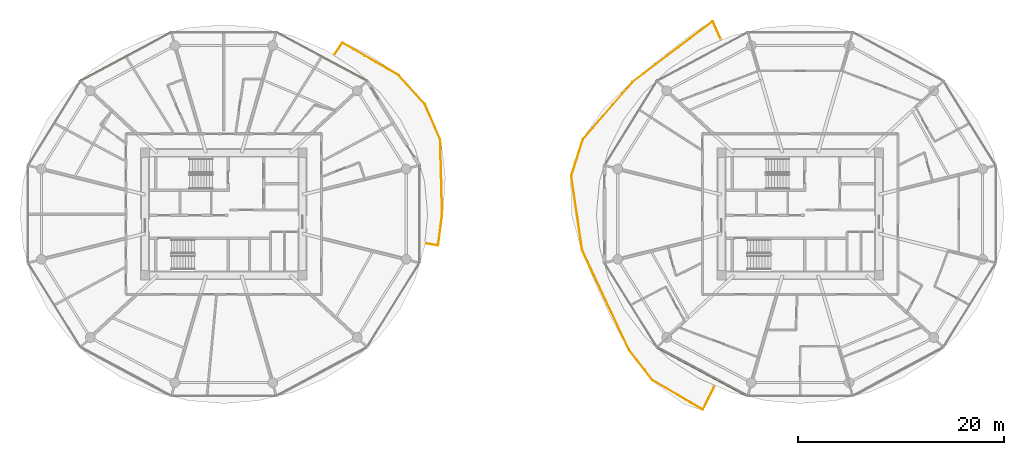
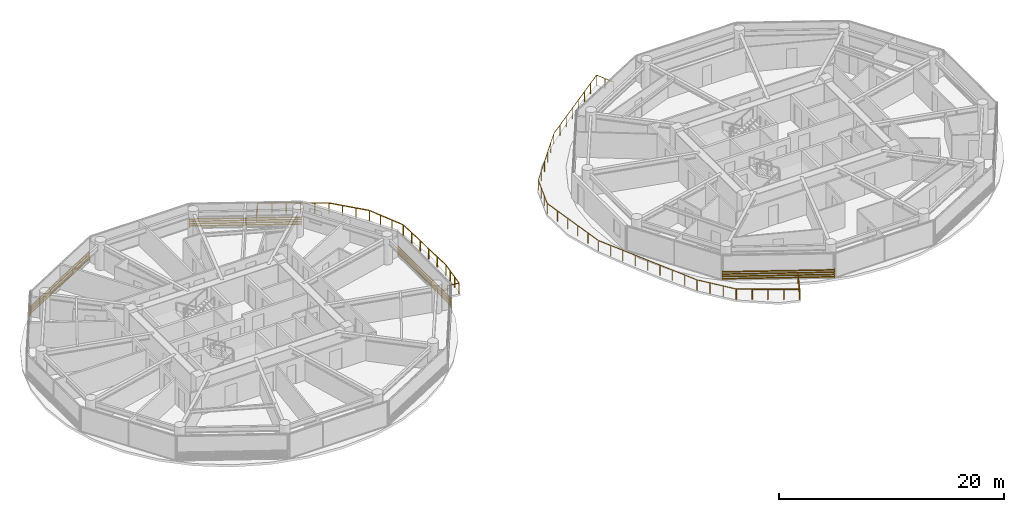
# One storey, part 24 of 26: 4 railings, 4 shading devices.
"""IFC4 building model written with IfcOpenShell, lengths in metres."""

import ifcopenshell
import ifcopenshell.guid

model = None  # the IFC model being written
_history = None  # IfcOwnerHistory: only IFC2X3 demands one
_inside = {}  # id of a spatial element -> (the spatial element, [elements in it])
_under = {}  # id of a project, library or spatial element -> (it, [spatial elements below it])
_declared = {}  # id of a project -> (the project, [libraries it declares])
_typed = {}  # id of a type object -> (the type object, [elements of that type])
_made_of = {}  # id of a material, layer set ... -> (it, [elements and type objects made of it])


def new_model(schema):
    """Start an empty IFC model of exactly this schema.

    Asked for "IFC4X3", IfcOpenShell would pick the latest addendum, in which some entities
    have other attributes; the version numbers below select the first issue.
    IFC2X3 requires an IfcOwnerHistory on every rooted entity: one is made here for all.
    """
    global model, _history
    if schema == "IFC4X3":
        model = ifcopenshell.file(schema_version=(4, 3, 0, 0))
    else:
        model = ifcopenshell.file(schema=schema)
    _inside.clear()
    _under.clear()
    _declared.clear()
    _typed.clear()
    _made_of.clear()
    _history = None
    if model.schema == "IFC2X3":
        org = make("IfcOrganization", Name="unknown")
        user = make(
            "IfcPersonAndOrganization",
            ThePerson=make("IfcPerson", FamilyName="unknown"),
            TheOrganization=org,
        )
        app = make(
            "IfcApplication",
            ApplicationDeveloper=org,
            Version="unknown",
            ApplicationFullName="unknown",
            ApplicationIdentifier="unknown",
        )
        _history = make(
            "IfcOwnerHistory",
            OwningUser=user,
            OwningApplication=app,
            ChangeAction="ADDED",
            CreationDate=0,
        )
    return model


def make(cls, **values):
    """One entity of the class cls with the attributes given. An attribute that is None is left unset."""
    return model.create_entity(
        cls, **{name: value for name, value in values.items() if value is not None}
    )


def rooted(cls, **values):
    """An entity with a GlobalId (a new one), such as an element, a storey or a relation."""
    return make(cls, GlobalId=ifcopenshell.guid.new(), OwnerHistory=_history, **values)


def si_unit(unit_type, name, prefix=None):
    """IfcSIUnit, for example si_unit("LENGTHUNIT", "METRE", prefix="MILLI")."""
    return make("IfcSIUnit", UnitType=unit_type, Prefix=prefix, Name=name)


def assignment(units):
    """IfcUnitAssignment: the units of a project."""
    return None if units is None else make("IfcUnitAssignment", Units=units)


def point(xyz):
    """IfcCartesianPoint."""
    return None if xyz is None else make("IfcCartesianPoint", Coordinates=xyz)


def direction(xyz):
    """IfcDirection."""
    return None if xyz is None else make("IfcDirection", DirectionRatios=xyz)


def frame(location, z_axis=None, x_axis=None):
    """IfcAxis2Placement3D, a coordinate frame: its origin and axes. An axis left out is left unset."""
    return make(
        "IfcAxis2Placement3D",
        Location=point(location),
        Axis=direction(z_axis),
        RefDirection=direction(x_axis),
    )


def frame_2d(location, x_axis=None):
    """IfcAxis2Placement2D, a coordinate frame in the plane: its origin and x axis."""
    return make(
        "IfcAxis2Placement2D", Location=point(location), RefDirection=direction(x_axis)
    )


def origin():
    """The frame at (0, 0, 0) with its axes left unset."""
    return frame((0.0, 0.0, 0.0))


def origin_2d():
    """The frame at (0, 0) in the plane with its x axis left unset."""
    return frame_2d((0.0, 0.0))


def place(relative_to, where):
    """IfcLocalPlacement: puts the frame where relative to a parent placement (None: the world)."""
    return make(
        "IfcLocalPlacement", PlacementRelTo=relative_to, RelativePlacement=where
    )


def context(
    kind, dimensions, precision=None, world=None, true_north=None, identifier=None
):
    """IfcGeometricRepresentationContext, for example the 3D "Model" context."""
    return make(
        "IfcGeometricRepresentationContext",
        ContextIdentifier=identifier,
        ContextType=kind,
        CoordinateSpaceDimension=dimensions,
        Precision=precision,
        WorldCoordinateSystem=world,
        TrueNorth=true_north,
    )


def subcontext(parent, identifier, kind, view, scale=None):
    """IfcGeometricRepresentationSubContext, for example "Body" below "Model"."""
    return make(
        "IfcGeometricRepresentationSubContext",
        ContextIdentifier=identifier,
        ContextType=kind,
        ParentContext=parent,
        TargetScale=scale,
        TargetView=view,
    )


def project(units=None, contexts=None):
    """IfcProject with its units and contexts."""
    return rooted(
        "IfcProject",
        Name="project",
        RepresentationContexts=contexts,
        UnitsInContext=assignment(units),
    )


def spatial(cls, under=None, at=None, **own):
    """A site, building, storey or space (cls), placed at a placement, below another one or the project."""
    s = rooted(cls, ObjectPlacement=at, **own)
    if under is not None:
        _under.setdefault(under.id(), (under, []))[1].append(s)
    return s


def profile(cls, at=None, kind="AREA", **sizes):
    """A parametric profile (cls). Its sizes go by their IFC names, for example OverallWidth=200.0."""
    return make(cls, ProfileType=kind, Position=at, **sizes)


def rectangle(**sizes):
    """IfcRectangleProfileDef."""
    return profile("IfcRectangleProfileDef", **sizes)


def extrude(swept, where, along, depth):
    """IfcExtrudedAreaSolid: the profile swept, set in the frame where, extruded along a direction by depth."""
    return make(
        "IfcExtrudedAreaSolid",
        SweptArea=swept,
        Position=where,
        ExtrudedDirection=direction(along),
        Depth=depth,
    )


def shape(context_of_items, identifier, shape_type, items):
    """IfcShapeRepresentation: the items that make up one representation, for example the "Body"."""
    return make(
        "IfcShapeRepresentation",
        ContextOfItems=context_of_items,
        RepresentationIdentifier=identifier,
        RepresentationType=shape_type,
        Items=items,
    )


def source(mapping_origin, context_of_items, identifier, shape_type, items):
    """IfcRepresentationMap: a shape defined once, which mapped items show again and again."""
    return make(
        "IfcRepresentationMap",
        MappingOrigin=mapping_origin,
        MappedRepresentation=shape(context_of_items, identifier, shape_type, items),
    )


def transform(
    local_origin,
    x_axis=None,
    y_axis=None,
    z_axis=None,
    scale=None,
    scale2=None,
    scale3=None,
    uniform=True,
):
    """IfcCartesianTransformationOperator3D, or its non-uniform kind. x_axis, y_axis, z_axis: its Axis1, 2, 3."""
    if uniform:
        return make(
            "IfcCartesianTransformationOperator3D",
            Axis1=direction(x_axis),
            Axis2=direction(y_axis),
            LocalOrigin=point(local_origin),
            Scale=scale,
            Axis3=direction(z_axis),
        )
    return make(
        "IfcCartesianTransformationOperator3DnonUniform",
        Axis1=direction(x_axis),
        Axis2=direction(y_axis),
        LocalOrigin=point(local_origin),
        Scale=scale,
        Axis3=direction(z_axis),
        Scale2=scale2,
        Scale3=scale3,
    )


def mapped(mapping_source, mapping_target):
    """IfcMappedItem: shows the shape of a source again, moved by a transform."""
    return make(
        "IfcMappedItem", MappingSource=mapping_source, MappingTarget=mapping_target
    )


def material(Name=None, Category=None):
    """IfcMaterial."""
    return make("IfcMaterial", Name=Name, Category=Category)


def made_of(thing, what):
    """Note that an element or type object is made of a material, layer set ...; save() writes the relation."""
    if what is not None:
        _made_of.setdefault(what.id(), (what, []))[1].append(thing)
    return thing


def type_object(cls, material=None, **own):
    """A type object (cls), such as IfcWallType, which elements share."""
    return made_of(rooted(cls, **own), material)


def type_shapes(of_type, sources):
    """Give a type object the sources (RepresentationMaps) that its elements show as mapped items."""
    of_type.RepresentationMaps = sources


def element(
    cls,
    number,
    at=None,
    inside=None,
    cuts=None,
    type_object=None,
    material=None,
    context=None,
    identifier="Body",
    shape_type=None,
    held_by="IfcProductDefinitionShape",
    body=None,
    shapes=None,
    **own,
):
    """One element of the class cls, such as IfcWall. Its Tag is "e" and its number.

    at: its placement. inside: the storey or other place that contains it. cuts: it is an
    opening in that element (IfcRelVoidsElement). A single representation is given by context,
    identifier, shape_type and body (its items); several are given by shapes. held_by: the class
    of the entity that holds the representations. save() writes the other relations.
    """
    e = rooted(cls, Tag="e%d" % number, ObjectPlacement=at, **own)
    if body is not None:
        shapes = [shape(context, identifier, shape_type, body)]
    if shapes is not None:
        e.Representation = make(held_by, Representations=shapes)
    if inside is not None:
        _inside.setdefault(inside.id(), (inside, []))[1].append(e)
    if cuts is not None:
        rooted(
            "IfcRelVoidsElement", RelatingBuildingElement=cuts, RelatedOpeningElement=e
        )
    if type_object is not None:
        _typed.setdefault(type_object.id(), (type_object, []))[1].append(e)
    return made_of(e, material)


def aggregate(whole, parts):
    """IfcRelAggregates: a whole, such as a stair, and the parts it consists of."""
    return rooted("IfcRelAggregates", RelatingObject=whole, RelatedObjects=parts)


def save(model, path):
    """Write the relations noted so far, then the file.

    IfcRelAggregates (storeys below a building ...), IfcRelContainedInSpatialStructure (elements
    in a storey), IfcRelDefinesByType, IfcRelAssociatesMaterial and IfcRelDeclares: one each for
    every whole, place, type object, material and project.
    """
    for whole, parts in _under.values():
        aggregate(whole, parts)
    for where, things in _inside.values():
        rooted(
            "IfcRelContainedInSpatialStructure",
            RelatedElements=things,
            RelatingStructure=where,
        )
    for kind, things in _typed.values():
        rooted("IfcRelDefinesByType", RelatedObjects=things, RelatingType=kind)
    for what, things in _made_of.values():
        rooted("IfcRelAssociatesMaterial", RelatedObjects=things, RelatingMaterial=what)
    for by, libraries in _declared.values():
        rooted("IfcRelDeclares", RelatingContext=by, RelatedDefinitions=libraries)
    model.write(path)


model = new_model("IFC4")

# Units and contexts
model_context = context("Model", 3, precision=1e-05, world=origin(), true_north=direction((0.0, 1.0)))
body_context = subcontext(model_context, "Body", "Model", "MODEL_VIEW")
ifc_project = project(units=[si_unit("LENGTHUNIT", "METRE"), si_unit("AREAUNIT", "SQUARE_METRE"), si_unit("VOLUMEUNIT", "CUBIC_METRE"), si_unit("PLANEANGLEUNIT", "RADIAN"), si_unit("MASSUNIT", "GRAM", prefix="KILO")], contexts=[model_context])

# Site, building, storey
site_placement = place(None, origin())
site = spatial("IfcSite", under=ifc_project, at=site_placement, CompositionType="ELEMENT")
building_placement = place(site_placement, origin())
building = spatial("IfcBuilding", under=site, at=building_placement, Name="Norrkilde Senior Care Towers", CompositionType="ELEMENT")
storey_placement = place(building_placement, frame((0.0, 0.0, 70.39990234375)))
storey = spatial("IfcBuildingStorey", under=building, at=storey_placement, Name="L21", CompositionType="ELEMENT", Elevation=70.39990234375)

# Railings
ifc_material_1 = material(Name="Anodised Aluminium", Category="aluminium")
railing_type = type_object("IfcRailingType", Name="Balcony Swirl Ribbon Guardrail 1150", PredefinedType="GUARDRAIL", material=ifc_material_1)
railing_1_placement = place(storey_placement, frame((13.6796875, -16.152587890625, 0.0)))
element("IfcRailing", 1, at=railing_1_placement, inside=storey, type_object=railing_type, Name="L21 Perimeter Safety Guard 01", PredefinedType="GUARDRAIL", context=body_context, shape_type="SweptSolid", body=[
    extrude(rectangle(XDim=0.048095703125, YDim=0.048095703125, at=origin_2d()), frame((0.0, 0.0, 1.1259765625), z_axis=(-0.613712279286, 0.789529757674, 0.0), x_axis=(-0.789529757674, -0.613712279286, 0.0)), (0.0, 0.0, 1.0), 3.734619140625),
    extrude(rectangle(XDim=0.048095703125, YDim=0.048095703125, at=origin_2d()), frame((-2.33447265625, 3.01806640625, 1.1259765625), z_axis=(-0.424991218832, 0.905197472332, 0.0), x_axis=(-0.905197472332, -0.424991218832, 0.0)), (0.0, 0.0, 1.0), 10.600830078125),
    extrude(rectangle(XDim=0.048095703125, YDim=0.048095703125, at=origin_2d()), frame((-6.863037109375, 12.69140625, 1.1259765625), z_axis=(-0.14539189921, 0.989374143408, 0.0), x_axis=(-0.989374143408, -0.14539189921, 0.0)), (0.0, 0.0, 1.0), 7.216064453125),
    extrude(rectangle(XDim=0.048095703125, YDim=0.048095703125, at=origin_2d()), frame((-7.90576171875, 19.91015625, 1.1259765625), z_axis=(0.303035832011, 0.952979162688, 0.0), x_axis=(-0.952979162688, 0.303035832011, 0.0)), (0.0, 0.0, 1.0), 3.64111328125),
    extrude(rectangle(XDim=0.048095703125, YDim=0.048095703125, at=origin_2d()), frame((-6.76318359375, 23.449951171875, 1.1259765625), z_axis=(0.654602131393, 0.7559735773, 0.0), x_axis=(-0.7559735773, 0.654602131393, 0.0)), (0.0, 0.0, 1.0), 7.2783203125),
    extrude(rectangle(XDim=0.048095703125, YDim=0.048095703125, at=origin_2d()), frame((-1.939697265625, 29.007568359375, 1.1259765625), z_axis=(0.796762548641, 0.604292512847, 0.0), x_axis=(-0.604292512847, 0.796762548641, 0.0)), (0.0, 0.0, 1.0), 9.69921875),
    extrude(rectangle(XDim=0.048095703125, YDim=0.048095703125, at=origin_2d()), frame((5.837890625, 34.856201171875, 1.1259765625), z_axis=(0.409524975064, -0.912298906499, 0.0), x_axis=(0.912298906499, 0.409524975064, 0.0)), (0.0, 0.0, 1.0), 1.797119140625),
    extrude(rectangle(XDim=0.0419921875, YDim=0.0419921875, at=origin_2d()), origin(), (0.0, 0.0, 1.0), 1.099853515625),
    extrude(rectangle(XDim=0.0419921875, YDim=0.0419921875, at=origin_2d()), frame((-0.7724609375, 0.99365234375, 0.0)), (0.0, 0.0, 1.0), 1.099853515625),
    extrude(rectangle(XDim=0.0419921875, YDim=0.0419921875, at=origin_2d()), frame((-1.544677734375, 1.9873046875, 0.0)), (0.0, 0.0, 1.0), 1.099853515625),
    extrude(rectangle(XDim=0.0419921875, YDim=0.0419921875, at=origin_2d()), frame((-2.317138671875, 2.98095703125, 0.0)), (0.0, 0.0, 1.0), 1.099853515625),
    extrude(rectangle(XDim=0.0419921875, YDim=0.0419921875, at=origin_2d()), frame((-2.884765625, 4.189697265625, 0.0)), (0.0, 0.0, 1.0), 1.099853515625),
    extrude(rectangle(XDim=0.0419921875, YDim=0.0419921875, at=origin_2d()), frame((-3.4521484375, 5.3984375, 0.0)), (0.0, 0.0, 1.0), 1.099853515625),
    extrude(rectangle(XDim=0.0419921875, YDim=0.0419921875, at=origin_2d()), frame((-4.01953125, 6.607177734375, 0.0)), (0.0, 0.0, 1.0), 1.099853515625),
    extrude(rectangle(XDim=0.0419921875, YDim=0.0419921875, at=origin_2d()), frame((-4.587158203125, 7.81591796875, 0.0)), (0.0, 0.0, 1.0), 1.099853515625),
    extrude(rectangle(XDim=0.0419921875, YDim=0.0419921875, at=origin_2d()), frame((-5.15478515625, 9.024658203125, 0.0)), (0.0, 0.0, 1.0), 1.099853515625),
    extrude(rectangle(XDim=0.0419921875, YDim=0.0419921875, at=origin_2d()), frame((-5.72216796875, 10.2333984375, 0.0)), (0.0, 0.0, 1.0), 1.099853515625),
    extrude(rectangle(XDim=0.0419921875, YDim=0.0419921875, at=origin_2d()), frame((-6.28955078125, 11.442138671875, 0.0)), (0.0, 0.0, 1.0), 1.099853515625),
    extrude(rectangle(XDim=0.0419921875, YDim=0.0419921875, at=origin_2d()), frame((-6.857177734375, 12.65087890625, 0.0)), (0.0, 0.0, 1.0), 1.099853515625),
    extrude(rectangle(XDim=0.0419921875, YDim=0.0419921875, at=origin_2d()), frame((-7.0693359375, 14.094970703125, 0.0)), (0.0, 0.0, 1.0), 1.099853515625),
    extrude(rectangle(XDim=0.0419921875, YDim=0.0419921875, at=origin_2d()), frame((-7.281494140625, 15.5390625, 0.0)), (0.0, 0.0, 1.0), 1.099853515625),
    extrude(rectangle(XDim=0.0419921875, YDim=0.0419921875, at=origin_2d()), frame((-7.493896484375, 16.98291015625, 0.0)), (0.0, 0.0, 1.0), 1.099853515625),
    extrude(rectangle(XDim=0.0419921875, YDim=0.0419921875, at=origin_2d()), frame((-7.7060546875, 18.427001953125, 0.0)), (0.0, 0.0, 1.0), 1.099853515625),
    extrude(rectangle(XDim=0.0419921875, YDim=0.0419921875, at=origin_2d()), frame((-7.918212890625, 19.87109375, 0.0)), (0.0, 0.0, 1.0), 1.099853515625),
    extrude(rectangle(XDim=0.0419921875, YDim=0.0419921875, at=origin_2d()), frame((-7.542236328125, 21.0537109375, 0.0)), (0.0, 0.0, 1.0), 1.099853515625),
    extrude(rectangle(XDim=0.0419921875, YDim=0.0419921875, at=origin_2d()), frame((-7.166015625, 22.236328125, 0.0)), (0.0, 0.0, 1.0), 1.099853515625),
    extrude(rectangle(XDim=0.0419921875, YDim=0.0419921875, at=origin_2d()), frame((-6.7900390625, 23.4189453125, 0.0)), (0.0, 0.0, 1.0), 1.099853515625),
    extrude(rectangle(XDim=0.0419921875, YDim=0.0419921875, at=origin_2d()), frame((-5.826416015625, 24.53173828125, 0.0)), (0.0, 0.0, 1.0), 1.099853515625),
    extrude(rectangle(XDim=0.0419921875, YDim=0.0419921875, at=origin_2d()), frame((-4.86279296875, 25.64453125, 0.0)), (0.0, 0.0, 1.0), 1.099853515625),
    extrude(rectangle(XDim=0.0419921875, YDim=0.0419921875, at=origin_2d()), frame((-3.8994140625, 26.75732421875, 0.0)), (0.0, 0.0, 1.0), 1.099853515625),
    extrude(rectangle(XDim=0.0419921875, YDim=0.0419921875, at=origin_2d()), frame((-2.935791015625, 27.8701171875, 0.0)), (0.0, 0.0, 1.0), 1.099853515625),
    extrude(rectangle(XDim=0.0419921875, YDim=0.0419921875, at=origin_2d()), frame((-1.97216796875, 28.98291015625, 0.0)), (0.0, 0.0, 1.0), 1.099853515625),
    extrude(rectangle(XDim=0.0419921875, YDim=0.0419921875, at=origin_2d()), frame((-0.85888671875, 29.827392578125, 0.0)), (0.0, 0.0, 1.0), 1.099853515625),
    extrude(rectangle(XDim=0.0419921875, YDim=0.0419921875, at=origin_2d()), frame((0.25439453125, 30.671630859375, 0.0)), (0.0, 0.0, 1.0), 1.099853515625),
    extrude(rectangle(XDim=0.0419921875, YDim=0.0419921875, at=origin_2d()), frame((1.36767578125, 31.51611328125, 0.0)), (0.0, 0.0, 1.0), 1.099853515625),
    extrude(rectangle(XDim=0.0419921875, YDim=0.0419921875, at=origin_2d()), frame((2.481201171875, 32.3603515625, 0.0)), (0.0, 0.0, 1.0), 1.099853515625),
    extrude(rectangle(XDim=0.0419921875, YDim=0.0419921875, at=origin_2d()), frame((3.594482421875, 33.204833984375, 0.0)), (0.0, 0.0, 1.0), 1.099853515625),
    extrude(rectangle(XDim=0.0419921875, YDim=0.0419921875, at=origin_2d()), frame((4.707763671875, 34.049072265625, 0.0)), (0.0, 0.0, 1.0), 1.099853515625),
    extrude(rectangle(XDim=0.0419921875, YDim=0.0419921875, at=origin_2d()), frame((5.821044921875, 34.8935546875, 0.0)), (0.0, 0.0, 1.0), 1.099853515625),
    extrude(rectangle(XDim=0.0419921875, YDim=0.0419921875, at=origin_2d()), frame((6.197265625, 34.05517578125, 0.0)), (0.0, 0.0, 1.0), 1.099853515625),
    extrude(rectangle(XDim=0.0419921875, YDim=0.0419921875, at=origin_2d()), frame((6.57373046875, 33.216796875, 0.0)), (0.0, 0.0, 1.0), 1.099853515625),
])
railing_2_placement = place(storey_placement, frame((19.630126953125, -16.794189453125, 0.0)))
element("IfcRailing", 2, at=railing_2_placement, inside=storey, type_object=railing_type, Name="L21 Perimeter Safety Guard 02", PredefinedType="GUARDRAIL", context=body_context, shape_type="SweptSolid", body=[
    extrude(rectangle(XDim=0.048095703125, YDim=0.048095703125, at=origin_2d()), frame((0.0, 0.0, 1.1259765625), z_axis=(-0.44217683724, -0.896927892647, 0.0), x_axis=(0.896927892647, -0.44217683724, 0.0)), (0.0, 0.0, 1.0), 2.425048828125),
    extrude(rectangle(XDim=0.048095703125, YDim=0.048095703125, at=origin_2d()), frame((-1.12548828125, -2.19091796875, 1.1259765625), z_axis=(-0.862369323589, 0.506279714913, 0.0), x_axis=(-0.506279714913, -0.862369323589, 0.0)), (0.0, 0.0, 1.0), 5.594970703125),
    extrude(rectangle(XDim=0.0419921875, YDim=0.0419921875, at=origin_2d()), origin(), (0.0, 0.0, 1.0), 1.099853515625),
    extrude(rectangle(XDim=0.0419921875, YDim=0.0419921875, at=origin_2d()), frame((-0.545166015625, -1.10595703125, 0.0)), (0.0, 0.0, 1.0), 1.099853515625),
    extrude(rectangle(XDim=0.0419921875, YDim=0.0419921875, at=origin_2d()), frame((-1.09033203125, -2.211669921875, 0.0)), (0.0, 0.0, 1.0), 1.099853515625),
    extrude(rectangle(XDim=0.0419921875, YDim=0.0419921875, at=origin_2d()), frame((-2.305419921875, -1.498291015625, 0.0)), (0.0, 0.0, 1.0), 1.099853515625),
    extrude(rectangle(XDim=0.0419921875, YDim=0.0419921875, at=origin_2d()), frame((-3.5205078125, -0.78515625, 0.0)), (0.0, 0.0, 1.0), 1.099853515625),
    extrude(rectangle(XDim=0.0419921875, YDim=0.0419921875, at=origin_2d()), frame((-4.7353515625, -0.07177734375, 0.0)), (0.0, 0.0, 1.0), 1.099853515625),
    extrude(rectangle(XDim=0.0419921875, YDim=0.0419921875, at=origin_2d()), frame((-5.950439453125, 0.6416015625, 0.0)), (0.0, 0.0, 1.0), 1.099853515625),
])
railing_3_placement = place(storey_placement, frame((-10.98583984375, 13.48046875, 0.0)))
element("IfcRailing", 3, at=railing_3_placement, inside=storey, type_object=railing_type, Name="L21 Perimeter Safety Guard 03", PredefinedType="GUARDRAIL", context=body_context, shape_type="SweptSolid", body=[
    extrude(rectangle(XDim=0.048095703125, YDim=0.048095703125, at=origin_2d()), frame((0.0, 0.0, 1.1259765625), z_axis=(0.670156153396, -0.742220135852, 0.0), x_axis=(0.742220135852, 0.670156153396, 0.0)), (0.0, 0.0, 1.0), 3.726318359375),
    extrude(rectangle(XDim=0.048095703125, YDim=0.048095703125, at=origin_2d()), frame((2.541015625, -2.833740234375, 1.1259765625), z_axis=(0.397341924581, -0.917670635343, 0.0), x_axis=(0.917670635343, 0.397341924581, 0.0)), (0.0, 0.0, 1.0), 3.66015625),
    extrude(rectangle(XDim=0.048095703125, YDim=0.048095703125, at=origin_2d()), frame((4.012451171875, -6.270751953125, 1.1259765625), z_axis=(0.026586701858, -0.999646511165, 0.0), x_axis=(0.999646511165, 0.026586701858, 0.0)), (0.0, 0.0, 1.0), 7.16357421875),
    extrude(rectangle(XDim=0.048095703125, YDim=0.048095703125, at=origin_2d()), frame((4.19873046875, -13.51318359375, 1.1259765625), z_axis=(-0.129247432535, -0.99161237446, 0.0), x_axis=(0.99161237446, -0.129247432535, 0.0)), (0.0, 0.0, 1.0), 2.98974609375),
    extrude(rectangle(XDim=0.048095703125, YDim=0.048095703125, at=origin_2d()), frame((3.7666015625, -16.51220703125, 1.1259765625), z_axis=(-0.988984131104, 0.148021580941, 0.0), x_axis=(-0.148021580941, -0.988984131104, 0.0)), (0.0, 0.0, 1.0), 1.082275390625),
    extrude(rectangle(XDim=0.0419921875, YDim=0.0419921875, at=origin_2d()), origin(), (0.0, 0.0, 1.0), 1.099853515625),
    extrude(rectangle(XDim=0.0419921875, YDim=0.0419921875, at=origin_2d()), frame((0.841552734375, -0.93212890625, 0.0)), (0.0, 0.0, 1.0), 1.099853515625),
    extrude(rectangle(XDim=0.0419921875, YDim=0.0419921875, at=origin_2d()), frame((1.68310546875, -1.864013671875, 0.0)), (0.0, 0.0, 1.0), 1.099853515625),
    extrude(rectangle(XDim=0.0419921875, YDim=0.0419921875, at=origin_2d()), frame((2.524658203125, -2.796142578125, 0.0)), (0.0, 0.0, 1.0), 1.099853515625),
    extrude(rectangle(XDim=0.0419921875, YDim=0.0419921875, at=origin_2d()), frame((3.020263671875, -3.940673828125, 0.0)), (0.0, 0.0, 1.0), 1.099853515625),
    extrude(rectangle(XDim=0.0419921875, YDim=0.0419921875, at=origin_2d()), frame((3.515869140625, -5.08544921875, 0.0)), (0.0, 0.0, 1.0), 1.099853515625),
    extrude(rectangle(XDim=0.0419921875, YDim=0.0419921875, at=origin_2d()), frame((4.011474609375, -6.22998046875, 0.0)), (0.0, 0.0, 1.0), 1.099853515625),
    extrude(rectangle(XDim=0.0419921875, YDim=0.0419921875, at=origin_2d()), frame((4.050048828125, -7.678466796875, 0.0)), (0.0, 0.0, 1.0), 1.099853515625),
    extrude(rectangle(XDim=0.0419921875, YDim=0.0419921875, at=origin_2d()), frame((4.088623046875, -9.126953125, 0.0)), (0.0, 0.0, 1.0), 1.099853515625),
    extrude(rectangle(XDim=0.0419921875, YDim=0.0419921875, at=origin_2d()), frame((4.126953125, -10.57568359375, 0.0)), (0.0, 0.0, 1.0), 1.099853515625),
    extrude(rectangle(XDim=0.0419921875, YDim=0.0419921875, at=origin_2d()), frame((4.16552734375, -12.024169921875, 0.0)), (0.0, 0.0, 1.0), 1.099853515625),
    extrude(rectangle(XDim=0.0419921875, YDim=0.0419921875, at=origin_2d()), frame((4.2041015625, -13.47265625, 0.0)), (0.0, 0.0, 1.0), 1.099853515625),
    extrude(rectangle(XDim=0.0419921875, YDim=0.0419921875, at=origin_2d()), frame((4.07177734375, -14.48779296875, 0.0)), (0.0, 0.0, 1.0), 1.099853515625),
    extrude(rectangle(XDim=0.0419921875, YDim=0.0419921875, at=origin_2d()), frame((3.939453125, -15.503173828125, 0.0)), (0.0, 0.0, 1.0), 1.099853515625),
    extrude(rectangle(XDim=0.0419921875, YDim=0.0419921875, at=origin_2d()), frame((3.80712890625, -16.518310546875, 0.0)), (0.0, 0.0, 1.0), 1.099853515625),
    extrude(rectangle(XDim=0.0419921875, YDim=0.0419921875, at=origin_2d()), frame((2.6962890625, -16.35205078125, 0.0)), (0.0, 0.0, 1.0), 1.099853515625),
])
railing_4_placement = place(storey_placement, frame((-17.2109375, 15.571044921875, 0.0)))
element("IfcRailing", 4, at=railing_4_placement, inside=storey, type_object=railing_type, Name="L21 Perimeter Safety Guard 04", PredefinedType="GUARDRAIL", context=body_context, shape_type="SweptSolid", body=[
    extrude(rectangle(XDim=0.048095703125, YDim=0.048095703125, at=origin_2d()), frame((0.0, 0.0, 1.1259765625), z_axis=(0.566138010177, 0.824310471505, 0.0), x_axis=(-0.824310471505, 0.566138010177, 0.0)), (0.0, 0.0, 1.0), 1.258544921875),
    extrude(rectangle(XDim=0.048095703125, YDim=0.048095703125, at=origin_2d()), frame((0.77099609375, 1.050537109375, 1.1259765625), z_axis=(0.866554274241, -0.499082848629, 0.0), x_axis=(0.499082848629, 0.866554274241, 0.0)), (0.0, 0.0, 1.0), 6.2939453125),
    extrude(rectangle(XDim=0.0419921875, YDim=0.0419921875, at=origin_2d()), origin(), (0.0, 0.0, 1.0), 1.099853515625),
    extrude(rectangle(XDim=0.0419921875, YDim=0.0419921875, at=origin_2d()), frame((0.735595703125, 1.071044921875, 0.0)), (0.0, 0.0, 1.0), 1.099853515625),
    extrude(rectangle(XDim=0.0419921875, YDim=0.0419921875, at=origin_2d()), frame((1.83349609375, 0.438720703125, 0.0)), (0.0, 0.0, 1.0), 1.099853515625),
    extrude(rectangle(XDim=0.0419921875, YDim=0.0419921875, at=origin_2d()), frame((2.931396484375, -0.193603515625, 0.0)), (0.0, 0.0, 1.0), 1.099853515625),
    extrude(rectangle(XDim=0.0419921875, YDim=0.0419921875, at=origin_2d()), frame((4.029296875, -0.825927734375, 0.0)), (0.0, 0.0, 1.0), 1.099853515625),
    extrude(rectangle(XDim=0.0419921875, YDim=0.0419921875, at=origin_2d()), frame((5.127197265625, -1.458251953125, 0.0)), (0.0, 0.0, 1.0), 1.099853515625),
    extrude(rectangle(XDim=0.0419921875, YDim=0.0419921875, at=origin_2d()), frame((6.22509765625, -2.090576171875, 0.0)), (0.0, 0.0, 1.0), 1.099853515625),
])

# Shading devices
ifc_material_2 = material(Name="Architectural Terracotta", Category="masonry")
shading_device_type = type_object("IfcShadingDeviceType", Name="Horizontal Terracotta Baguette Rack", PredefinedType="USERDEFINED", material=ifc_material_2)
shared_shape_1 = source(origin(), body_context, "Body", "SweptSolid", [
    extrude(rectangle(XDim=0.070068359375, YDim=0.110107421875, at=origin_2d()), frame((0.0, 0.090087890625, 0.125), z_axis=(1.0, 0.0, 0.0), x_axis=(0.0, 1.0, 0.0)), (0.0, 0.0, 1.0), 10.0107421875),
    extrude(rectangle(XDim=0.070068359375, YDim=0.110107421875, at=origin_2d()), frame((0.0, 0.090087890625, 0.375), z_axis=(1.0, 0.0, 0.0), x_axis=(0.0, 1.0, 0.0)), (0.0, 0.0, 1.0), 10.0107421875),
    extrude(rectangle(XDim=0.070068359375, YDim=0.110107421875, at=origin_2d()), frame((0.0, 0.090087890625, 0.625), z_axis=(1.0, 0.0, 0.0), x_axis=(0.0, 1.0, 0.0)), (0.0, 0.0, 1.0), 10.0107421875),
    extrude(rectangle(XDim=0.070068359375, YDim=0.110107421875, at=origin_2d()), frame((0.0, 0.090087890625, 0.875), z_axis=(1.0, 0.0, 0.0), x_axis=(0.0, 1.0, 0.0)), (0.0, 0.0, 1.0), 10.0107421875),
    extrude(rectangle(XDim=0.050048828125, YDim=0.1552734375, at=origin_2d()), frame((0.02490234375, 0.047607421875, 0.0)), (0.0, 0.0, 1.0), 1.0),
    extrude(rectangle(XDim=0.050048828125, YDim=0.1552734375, at=origin_2d()), frame((9.98583984375, 0.047607421875, 0.0)), (0.0, 0.0, 1.0), 1.0),
])
for number, where, z_axis, x_axis, name in (
    (5, (-22.906494140625, 17.6572265625, 0.080078125), (0.0, 0.0, 1.0), (0.881279875134, -0.472612428056, 0.0), "L21 Drum W Terracotta Baguette Screen 01"),
    (6, (-41.915771484375, 12.926025390625, 0.080078125), (0.0, 0.0, 1.0), (0.881279875134, 0.472612428056, 0.0), "L21 Drum W Terracotta Baguette Screen 03"),
    (7, (22.906494140625, -17.6572265625, 0.080078125), (0.0, 0.0, 1.0), (-0.881279875134, 0.472612428056, 0.0), "L21 Drum E Terracotta Baguette Screen 07"),
):
    element("IfcShadingDevice", number, at=place(storey_placement, frame(where, z_axis=z_axis, x_axis=x_axis)), inside=storey, type_object=shading_device_type, Name=name, ObjectType="BAGUETTE", PredefinedType="USERDEFINED", context=body_context, shape_type="MappedRepresentation", body=[
        mapped(shared_shape_1, transform((0.0, 0.0, 0.0), x_axis=(1.0, 0.0, 0.0), y_axis=(0.0, 1.0, 0.0), z_axis=(0.0, 0.0, 1.0), scale=1.0)),
    ])
shared_shape_2 = source(origin(), body_context, "Body", "SweptSolid", [
    extrude(rectangle(XDim=0.070068359375, YDim=0.110107421875, at=origin_2d()), frame((0.0, 0.090087890625, 0.125), z_axis=(1.0, 0.0, 0.0), x_axis=(0.0, 1.0, 0.0)), (0.0, 0.0, 1.0), 9.46240234375),
    extrude(rectangle(XDim=0.070068359375, YDim=0.110107421875, at=origin_2d()), frame((0.0, 0.090087890625, 0.375), z_axis=(1.0, 0.0, 0.0), x_axis=(0.0, 1.0, 0.0)), (0.0, 0.0, 1.0), 9.46240234375),
    extrude(rectangle(XDim=0.070068359375, YDim=0.110107421875, at=origin_2d()), frame((0.0, 0.090087890625, 0.625), z_axis=(1.0, 0.0, 0.0), x_axis=(0.0, 1.0, 0.0)), (0.0, 0.0, 1.0), 9.46240234375),
    extrude(rectangle(XDim=0.070068359375, YDim=0.110107421875, at=origin_2d()), frame((0.0, 0.090087890625, 0.875), z_axis=(1.0, 0.0, 0.0), x_axis=(0.0, 1.0, 0.0)), (0.0, 0.0, 1.0), 9.46240234375),
    extrude(rectangle(XDim=0.050048828125, YDim=0.1552734375, at=origin_2d()), frame((0.02490234375, 0.047607421875, 0.0)), (0.0, 0.0, 1.0), 1.0),
    extrude(rectangle(XDim=0.050048828125, YDim=0.1552734375, at=origin_2d()), frame((9.4375, 0.047607421875, 0.0)), (0.0, 0.0, 1.0), 1.0),
])
type_shapes(shading_device_type, [shared_shape_1, shared_shape_2])
shading_device_placement = place(storey_placement, frame((-8.990478515625, 4.731201171875, 0.080078125), z_axis=(0.0, 0.0, 1.0), x_axis=(0.0, -1.0, 0.0)))
element("IfcShadingDevice", 8, at=shading_device_placement, inside=storey, type_object=shading_device_type, Name="L21 Drum W Terracotta Baguette Screen 11", ObjectType="BAGUETTE", PredefinedType="USERDEFINED", context=body_context, shape_type="MappedRepresentation", body=[
    mapped(shared_shape_2, transform((0.0, 0.0, 0.0), x_axis=(1.0, 0.0, 0.0), y_axis=(0.0, 1.0, 0.0), z_axis=(0.0, 0.0, 1.0), scale=1.0)),
])

save(model, "model.ifc")
